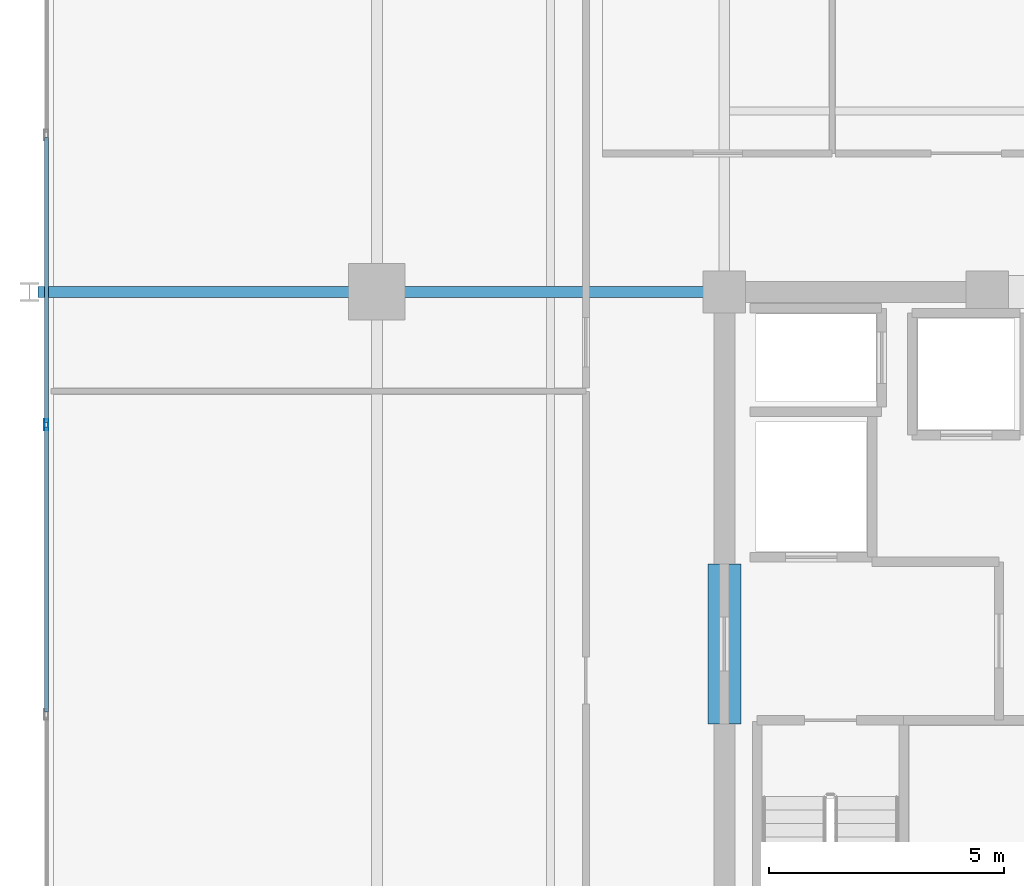
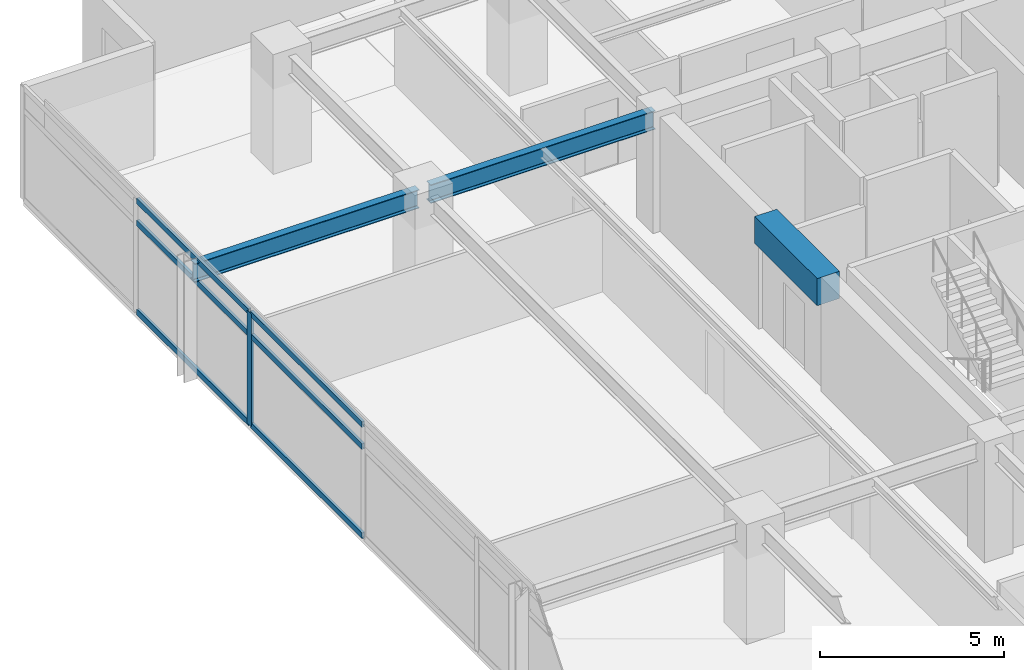
# One storey, part 7 of 20: 7 members, 3 beams, 1 element without a shape of its own.
"""IFC4 building model written with IfcOpenShell, lengths in metres."""

import ifcopenshell
import ifcopenshell.guid

model = None  # the IFC model being written
_history = None  # IfcOwnerHistory: only IFC2X3 demands one
_inside = {}  # id of a spatial element -> (the spatial element, [elements in it])
_under = {}  # id of a project, library or spatial element -> (it, [spatial elements below it])
_declared = {}  # id of a project -> (the project, [libraries it declares])
_typed = {}  # id of a type object -> (the type object, [elements of that type])
_made_of = {}  # id of a material, layer set ... -> (it, [elements and type objects made of it])


def new_model(schema):
    """Start an empty IFC model of exactly this schema.

    Asked for "IFC4X3", IfcOpenShell would pick the latest addendum, in which some entities
    have other attributes; the version numbers below select the first issue.
    IFC2X3 requires an IfcOwnerHistory on every rooted entity: one is made here for all.
    """
    global model, _history
    if schema == "IFC4X3":
        model = ifcopenshell.file(schema_version=(4, 3, 0, 0))
    else:
        model = ifcopenshell.file(schema=schema)
    _inside.clear()
    _under.clear()
    _declared.clear()
    _typed.clear()
    _made_of.clear()
    _history = None
    if model.schema == "IFC2X3":
        org = make("IfcOrganization", Name="unknown")
        user = make(
            "IfcPersonAndOrganization",
            ThePerson=make("IfcPerson", FamilyName="unknown"),
            TheOrganization=org,
        )
        app = make(
            "IfcApplication",
            ApplicationDeveloper=org,
            Version="unknown",
            ApplicationFullName="unknown",
            ApplicationIdentifier="unknown",
        )
        _history = make(
            "IfcOwnerHistory",
            OwningUser=user,
            OwningApplication=app,
            ChangeAction="ADDED",
            CreationDate=0,
        )
    return model


def make(cls, **values):
    """One entity of the class cls with the attributes given. An attribute that is None is left unset."""
    return model.create_entity(
        cls, **{name: value for name, value in values.items() if value is not None}
    )


def rooted(cls, **values):
    """An entity with a GlobalId (a new one), such as an element, a storey or a relation."""
    return make(cls, GlobalId=ifcopenshell.guid.new(), OwnerHistory=_history, **values)


def si_unit(unit_type, name, prefix=None):
    """IfcSIUnit, for example si_unit("LENGTHUNIT", "METRE", prefix="MILLI")."""
    return make("IfcSIUnit", UnitType=unit_type, Prefix=prefix, Name=name)


def assignment(units):
    """IfcUnitAssignment: the units of a project."""
    return None if units is None else make("IfcUnitAssignment", Units=units)


def point(xyz):
    """IfcCartesianPoint."""
    return None if xyz is None else make("IfcCartesianPoint", Coordinates=xyz)


def direction(xyz):
    """IfcDirection."""
    return None if xyz is None else make("IfcDirection", DirectionRatios=xyz)


def frame(location, z_axis=None, x_axis=None):
    """IfcAxis2Placement3D, a coordinate frame: its origin and axes. An axis left out is left unset."""
    return make(
        "IfcAxis2Placement3D",
        Location=point(location),
        Axis=direction(z_axis),
        RefDirection=direction(x_axis),
    )


def frame_2d(location, x_axis=None):
    """IfcAxis2Placement2D, a coordinate frame in the plane: its origin and x axis."""
    return make(
        "IfcAxis2Placement2D", Location=point(location), RefDirection=direction(x_axis)
    )


def origin():
    """The frame at (0, 0, 0) with its axes left unset."""
    return frame((0.0, 0.0, 0.0))


def origin_2d():
    """The frame at (0, 0) in the plane with its x axis left unset."""
    return frame_2d((0.0, 0.0))


def place(relative_to, where):
    """IfcLocalPlacement: puts the frame where relative to a parent placement (None: the world)."""
    return make(
        "IfcLocalPlacement", PlacementRelTo=relative_to, RelativePlacement=where
    )


def context(
    kind, dimensions, precision=None, world=None, true_north=None, identifier=None
):
    """IfcGeometricRepresentationContext, for example the 3D "Model" context."""
    return make(
        "IfcGeometricRepresentationContext",
        ContextIdentifier=identifier,
        ContextType=kind,
        CoordinateSpaceDimension=dimensions,
        Precision=precision,
        WorldCoordinateSystem=world,
        TrueNorth=true_north,
    )


def subcontext(parent, identifier, kind, view, scale=None):
    """IfcGeometricRepresentationSubContext, for example "Body" below "Model"."""
    return make(
        "IfcGeometricRepresentationSubContext",
        ContextIdentifier=identifier,
        ContextType=kind,
        ParentContext=parent,
        TargetScale=scale,
        TargetView=view,
    )


def project(units=None, contexts=None):
    """IfcProject with its units and contexts."""
    return rooted(
        "IfcProject",
        Name="project",
        RepresentationContexts=contexts,
        UnitsInContext=assignment(units),
    )


def spatial(cls, under=None, at=None, **own):
    """A site, building, storey or space (cls), placed at a placement, below another one or the project."""
    s = rooted(cls, ObjectPlacement=at, **own)
    if under is not None:
        _under.setdefault(under.id(), (under, []))[1].append(s)
    return s


def profile(cls, at=None, kind="AREA", **sizes):
    """A parametric profile (cls). Its sizes go by their IFC names, for example OverallWidth=200.0."""
    return make(cls, ProfileType=kind, Position=at, **sizes)


def rectangle(**sizes):
    """IfcRectangleProfileDef."""
    return profile("IfcRectangleProfileDef", **sizes)


def hollow_rectangle(**sizes):
    """IfcRectangleHollowProfileDef."""
    return profile("IfcRectangleHollowProfileDef", **sizes)


def i_section(**sizes):
    """IfcIShapeProfileDef."""
    return profile("IfcIShapeProfileDef", **sizes)


def extrude(swept, where, along, depth):
    """IfcExtrudedAreaSolid: the profile swept, set in the frame where, extruded along a direction by depth."""
    return make(
        "IfcExtrudedAreaSolid",
        SweptArea=swept,
        Position=where,
        ExtrudedDirection=direction(along),
        Depth=depth,
    )


def shape(context_of_items, identifier, shape_type, items):
    """IfcShapeRepresentation: the items that make up one representation, for example the "Body"."""
    return make(
        "IfcShapeRepresentation",
        ContextOfItems=context_of_items,
        RepresentationIdentifier=identifier,
        RepresentationType=shape_type,
        Items=items,
    )


def material(Name=None, Category=None):
    """IfcMaterial."""
    return make("IfcMaterial", Name=Name, Category=Category)


def material_profile(
    of_material, cross_section, Name=None, Category=None, Priority=None
):
    """IfcMaterialProfile: a cross section and its material."""
    return make(
        "IfcMaterialProfile",
        Name=Name,
        Material=of_material,
        Profile=cross_section,
        Priority=Priority,
        Category=Category,
    )


def profile_set(profiles, Name=None, composite=None):
    """IfcMaterialProfileSet."""
    return make(
        "IfcMaterialProfileSet",
        Name=Name,
        MaterialProfiles=profiles,
        CompositeProfile=composite,
    )


def made_of(thing, what):
    """Note that an element or type object is made of a material, layer set ...; save() writes the relation."""
    if what is not None:
        _made_of.setdefault(what.id(), (what, []))[1].append(thing)
    return thing


def type_object(cls, material=None, **own):
    """A type object (cls), such as IfcWallType, which elements share."""
    return made_of(rooted(cls, **own), material)


def element(
    cls,
    number,
    at=None,
    inside=None,
    cuts=None,
    type_object=None,
    material=None,
    context=None,
    identifier="Body",
    shape_type=None,
    held_by="IfcProductDefinitionShape",
    body=None,
    shapes=None,
    **own,
):
    """One element of the class cls, such as IfcWall. Its Tag is "e" and its number.

    at: its placement. inside: the storey or other place that contains it. cuts: it is an
    opening in that element (IfcRelVoidsElement). A single representation is given by context,
    identifier, shape_type and body (its items); several are given by shapes. held_by: the class
    of the entity that holds the representations. save() writes the other relations.
    """
    e = rooted(cls, Tag="e%d" % number, ObjectPlacement=at, **own)
    if body is not None:
        shapes = [shape(context, identifier, shape_type, body)]
    if shapes is not None:
        e.Representation = make(held_by, Representations=shapes)
    if inside is not None:
        _inside.setdefault(inside.id(), (inside, []))[1].append(e)
    if cuts is not None:
        rooted(
            "IfcRelVoidsElement", RelatingBuildingElement=cuts, RelatedOpeningElement=e
        )
    if type_object is not None:
        _typed.setdefault(type_object.id(), (type_object, []))[1].append(e)
    return made_of(e, material)


def aggregate(whole, parts):
    """IfcRelAggregates: a whole, such as a stair, and the parts it consists of."""
    return rooted("IfcRelAggregates", RelatingObject=whole, RelatedObjects=parts)


def save(model, path):
    """Write the relations noted so far, then the file.

    IfcRelAggregates (storeys below a building ...), IfcRelContainedInSpatialStructure (elements
    in a storey), IfcRelDefinesByType, IfcRelAssociatesMaterial and IfcRelDeclares: one each for
    every whole, place, type object, material and project.
    """
    for whole, parts in _under.values():
        aggregate(whole, parts)
    for where, things in _inside.values():
        rooted(
            "IfcRelContainedInSpatialStructure",
            RelatedElements=things,
            RelatingStructure=where,
        )
    for kind, things in _typed.values():
        rooted("IfcRelDefinesByType", RelatedObjects=things, RelatingType=kind)
    for what, things in _made_of.values():
        rooted("IfcRelAssociatesMaterial", RelatedObjects=things, RelatingMaterial=what)
    for by, libraries in _declared.values():
        rooted("IfcRelDeclares", RelatingContext=by, RelatedDefinitions=libraries)
    model.write(path)


model = new_model("IFC4")

# Units and contexts
model_context = context("Model", 3, precision=1e-05, world=origin(), true_north=direction((0.0, 1.0)))
body_context = subcontext(model_context, "Body", "Model", "MODEL_VIEW")
ifc_project = project(units=[si_unit("LENGTHUNIT", "METRE"), si_unit("AREAUNIT", "SQUARE_METRE"), si_unit("VOLUMEUNIT", "CUBIC_METRE"), si_unit("PLANEANGLEUNIT", "RADIAN"), si_unit("MASSUNIT", "GRAM", prefix="KILO")], contexts=[model_context])

# Site, building, storey
site_placement = place(None, origin())
site = spatial("IfcSite", under=ifc_project, at=site_placement, CompositionType="ELEMENT")
building_placement = place(site_placement, origin())
building = spatial("IfcBuilding", under=site, at=building_placement, Name="Kovane Verandah Tower", CompositionType="ELEMENT")
storey_placement = place(building_placement, frame((0.0, 0.0, 287.199951171875)))
storey = spatial("IfcBuildingStorey", under=building, at=storey_placement, Name="L67", CompositionType="ELEMENT", Elevation=287.199951171875)

# Beams
ifc_material_1 = material(Name="Concrete C60/75", Category="concrete")
ifc_material_profile_1 = material_profile(ifc_material_1, rectangle(XDim=0.699951171875, YDim=0.89990234375, at=origin_2d()), Name="RCB700x900")
ifc_profile_set_1 = profile_set([ifc_material_profile_1], Name="Concrete C60/75")
beam_type_1 = type_object("IfcBeamType", Name="BM-LINTEL-700x900", PredefinedType="LINTEL", material=ifc_profile_set_1)
beam_placement = place(storey_placement, frame((29.0, 27.300048828125, 3.3349609375), z_axis=(0.0, 1.0, 0.0), x_axis=(-1.0, 0.0, 0.0)))
element("IfcBeam", 1, at=beam_placement, inside=storey, type_object=beam_type_1, Name="L67 Core Coupling Lintel CL-W", PredefinedType="LINTEL", context=body_context, shape_type="SweptSolid", body=[
    extrude(rectangle(XDim=0.699951171875, YDim=0.89990234375, at=origin_2d()), origin(), (0.0, 0.0, 1.0), 3.39990234375),
])
ifc_material_2 = material(Name="Steel S355", Category="steel")
ifc_material_profile_2 = material_profile(ifc_material_2, i_section(OverallWidth=0.230224609375, OverallDepth=0.6171875, WebThickness=0.01318359375, FlangeThickness=0.022216796875, FilletRadius=0.0126953125, at=origin_2d()), Name="UB610x229x140")
ifc_profile_set_2 = profile_set([ifc_material_profile_2], Name="Steel S355")
beam_type_2 = type_object("IfcBeamType", Name="BM-UB610x140", PredefinedType="BEAM", material=ifc_profile_set_2)
for number, where, z_axis, x_axis, name in (
    (2, (28.820068359375, 36.5, 3.4765625), (-1.0, 0.0, 0.0), (0.0, -1.0, 0.0), "L67 Primary Tower Girder G-W2"),
    (3, (21.419921875, 36.5, 3.451416015625), (-1.0, 0.0, 0.0), (0.0, -1.0, 0.0), "L67 Primary Tower Girder G-VW2"),
):
    element("IfcBeam", number, at=place(storey_placement, frame(where, z_axis=z_axis, x_axis=x_axis)), inside=storey, type_object=beam_type_2, Name=name, PredefinedType="BEAM", context=body_context, shape_type="SweptSolid", body=[
        extrude(i_section(OverallWidth=0.230224609375, OverallDepth=0.6171875, WebThickness=0.01318359375, FlangeThickness=0.022216796875, FilletRadius=0.0126953125, at=origin_2d()), origin(), (0.0, 0.0, 1.0), 7.0400390625),
    ])

# Curtain wall, members
ifc_material_3 = material(Name="Champagne Anodised Aluminium Frame with Low-E Clear Laminated Glass", Category="aluminium")
curtain_wall_type = type_object("IfcCurtainWallType", Name="CW-SYS-05-HIGH", PredefinedType="NOTDEFINED", material=ifc_material_3)
curtain_wall_placement = place(storey_placement, origin())
curtain_wall = element("IfcCurtainWall", 4, at=curtain_wall_placement, inside=storey, type_object=curtain_wall_type, Name="L67 W Unitised Curtain Wall", PredefinedType="NOTDEFINED")
ifc_material_4 = material(Name="Champagne Anodised Aluminium 6063-T6", Category="aluminium")
ifc_material_profile_3 = material_profile(ifc_material_4, hollow_rectangle(XDim=0.0849609375, YDim=0.22998046875, WallThickness=0.00390625, at=origin_2d()), Name="AL85x230x4")
ifc_profile_set_3 = profile_set([ifc_material_profile_3], Name="Champagne Anodised Aluminium 6063-T6")
member_type_1 = type_object("IfcMemberType", Name="CW-MUL-85x230", PredefinedType="MULLION", material=ifc_profile_set_3)
member_1_placement = place(storey_placement, frame((14.5625, 33.67138671875, 0.02001953125), z_axis=(0.0, 0.0, 1.0), x_axis=(-1.0, 0.0, 0.0)))
member_1 = element("IfcMember", 5, at=member_1_placement, type_object=member_type_1, Name="L67 W Unitised Curtain Wall Mullion 3", PredefinedType="MULLION", context=body_context, shape_type="SweptSolid", body=[
    extrude(hollow_rectangle(XDim=0.0849609375, YDim=0.22998046875, WallThickness=0.00390625, at=origin_2d()), origin(), (0.0, 0.0, 1.0), 3.7451171875),
])
ifc_material_profile_4 = material_profile(ifc_material_4, hollow_rectangle(XDim=0.0849609375, YDim=0.18994140625, WallThickness=0.00390625, at=origin_2d()), Name="AL85x190x4")
ifc_profile_set_4 = profile_set([ifc_material_profile_4], Name="Champagne Anodised Aluminium 6063-T6")
member_type_2 = type_object("IfcMemberType", Name="CW-TRN-85x190", PredefinedType="USERDEFINED", material=ifc_profile_set_4)
member_2_placement = place(storey_placement, frame((14.5625, 39.79296875, 0.050048828125), z_axis=(0.0, -1.0, 0.0), x_axis=(1.0, 0.0, 0.0)))
member_2 = element("IfcMember", 6, at=member_2_placement, type_object=member_type_2, Name="L67 W Unitised Curtain Wall Transom TB Bay 2", ObjectType="TRANSOM", PredefinedType="USERDEFINED", context=body_context, shape_type="SweptSolid", body=[
    extrude(hollow_rectangle(XDim=0.0849609375, YDim=0.18994140625, WallThickness=0.00390625, at=origin_2d()), origin(), (0.0, 0.0, 1.0), 6.071533203125),
])
member_3_placement = place(storey_placement, frame((14.5625, 39.79296875, 3.005126953125), z_axis=(0.0, -1.0, 0.0), x_axis=(1.0, 0.0, 0.0)))
member_3 = element("IfcMember", 7, at=member_3_placement, type_object=member_type_2, Name="L67 W Unitised Curtain Wall Transom TM Bay 2", ObjectType="TRANSOM", PredefinedType="USERDEFINED", context=body_context, shape_type="SweptSolid", body=[
    extrude(hollow_rectangle(XDim=0.0849609375, YDim=0.18994140625, WallThickness=0.00390625, at=origin_2d()), origin(), (0.0, 0.0, 1.0), 6.071533203125),
])
member_4_placement = place(storey_placement, frame((14.5625, 39.79296875, 3.735107421875), z_axis=(0.0, -1.0, 0.0), x_axis=(1.0, 0.0, 0.0)))
member_4 = element("IfcMember", 8, at=member_4_placement, type_object=member_type_2, Name="L67 W Unitised Curtain Wall Transom TT Bay 2", ObjectType="TRANSOM", PredefinedType="USERDEFINED", context=body_context, shape_type="SweptSolid", body=[
    extrude(hollow_rectangle(XDim=0.0849609375, YDim=0.18994140625, WallThickness=0.00390625, at=origin_2d()), origin(), (0.0, 0.0, 1.0), 6.071533203125),
])
member_5_placement = place(storey_placement, frame((14.5625, 33.621337890625, 0.050048828125), z_axis=(0.0, -1.0, 0.0), x_axis=(1.0, 0.0, 0.0)))
member_5 = element("IfcMember", 9, at=member_5_placement, type_object=member_type_2, Name="L67 W Unitised Curtain Wall Transom TB Bay 3", ObjectType="TRANSOM", PredefinedType="USERDEFINED", context=body_context, shape_type="SweptSolid", body=[
    extrude(hollow_rectangle(XDim=0.0849609375, YDim=0.18994140625, WallThickness=0.00390625, at=origin_2d()), origin(), (0.0, 0.0, 1.0), 6.0712890625),
])
member_6_placement = place(storey_placement, frame((14.5625, 33.621337890625, 3.005126953125), z_axis=(0.0, -1.0, 0.0), x_axis=(1.0, 0.0, 0.0)))
member_6 = element("IfcMember", 10, at=member_6_placement, type_object=member_type_2, Name="L67 W Unitised Curtain Wall Transom TM Bay 3", ObjectType="TRANSOM", PredefinedType="USERDEFINED", context=body_context, shape_type="SweptSolid", body=[
    extrude(hollow_rectangle(XDim=0.0849609375, YDim=0.18994140625, WallThickness=0.00390625, at=origin_2d()), origin(), (0.0, 0.0, 1.0), 6.0712890625),
])
member_7_placement = place(storey_placement, frame((14.5625, 33.621337890625, 3.735107421875), z_axis=(0.0, -1.0, 0.0), x_axis=(1.0, 0.0, 0.0)))
member_7 = element("IfcMember", 11, at=member_7_placement, type_object=member_type_2, Name="L67 W Unitised Curtain Wall Transom TT Bay 3", ObjectType="TRANSOM", PredefinedType="USERDEFINED", context=body_context, shape_type="SweptSolid", body=[
    extrude(hollow_rectangle(XDim=0.0849609375, YDim=0.18994140625, WallThickness=0.00390625, at=origin_2d()), origin(), (0.0, 0.0, 1.0), 6.0712890625),
])
aggregate(curtain_wall, [member_1, member_2, member_3, member_4, member_5, member_6, member_7])

save(model, "model.ifc")
